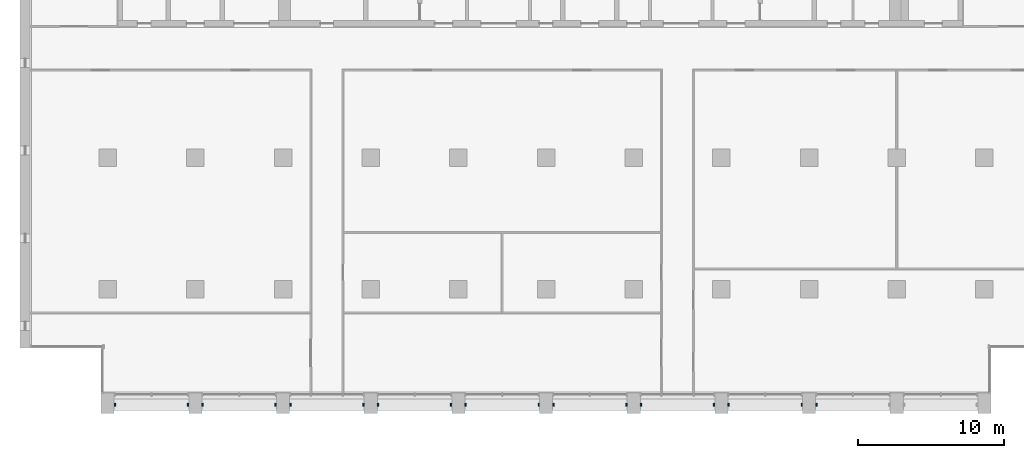
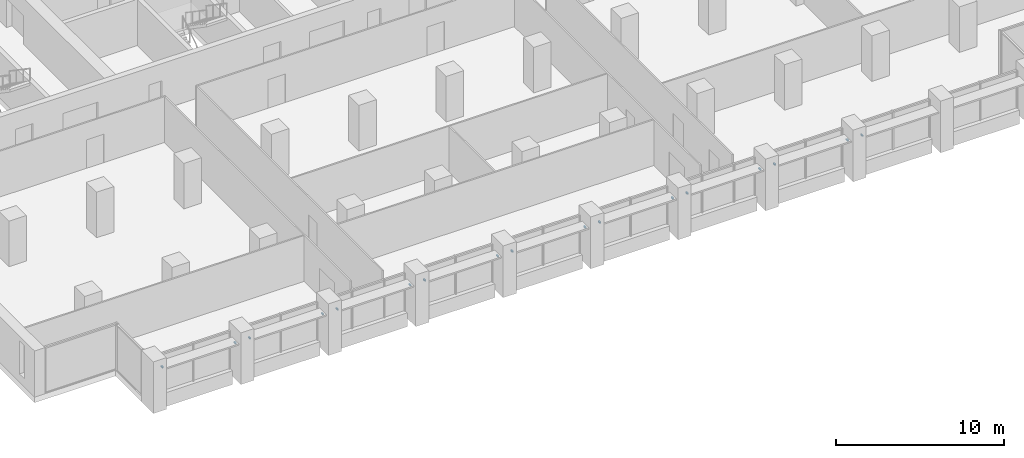
# One storey, part 13 of 15: 17 discrete accessories.
"""IFC4 building model written with IfcOpenShell, lengths in metres."""

from ifc_helpers import new_model, si_unit, direction, frame, origin, origin_2d, place, context, subcontext, project, spatial, rectangle, extrude, element, save


model = new_model("IFC4")

# Units and contexts
model_context = context("Model", 3, precision=1e-05, world=origin(), true_north=direction((0.0, 1.0)))
body_context = subcontext(model_context, "Body", "Model", "MODEL_VIEW")
ifc_project = project(units=[si_unit("LENGTHUNIT", "METRE"), si_unit("AREAUNIT", "SQUARE_METRE"), si_unit("VOLUMEUNIT", "CUBIC_METRE"), si_unit("PLANEANGLEUNIT", "RADIAN"), si_unit("MASSUNIT", "GRAM", prefix="KILO")], contexts=[model_context])

# Site, building, storey
site_placement = place(None, origin())
site = spatial("IfcSite", under=ifc_project, at=site_placement, CompositionType="ELEMENT")
building_placement = place(site_placement, origin())
building = spatial("IfcBuilding", under=site, at=building_placement, Name="Calvaro Tower", CompositionType="ELEMENT")
storey_placement = place(building_placement, frame((0.0, 0.0, 147.5)))
storey = spatial("IfcBuildingStorey", under=building, at=storey_placement, Name="L37", CompositionType="ELEMENT", Elevation=147.5)

# Discrete accessories
for number, where, z_axis, x_axis, name in (
    (1, (6.5, 2.10009765625, 2.25), (0.0, 0.0, 1.0), (1.0, 0.0, 0.0), "Brise-soleil bracket"),
    (2, (11.5, 2.10009765625, 2.25), (0.0, 0.0, 1.0), (1.0, 0.0, 0.0), "Brise-soleil bracket"),
    (3, (12.5, 2.10009765625, 2.25), (0.0, 0.0, 1.0), (1.0, 0.0, 0.0), "Brise-soleil bracket"),
    (4, (17.5, 2.10009765625, 2.25), (0.0, 0.0, 1.0), (1.0, 0.0, 0.0), "Brise-soleil bracket"),
    (5, (18.5, 2.10009765625, 2.25), (0.0, 0.0, 1.0), (1.0, 0.0, 0.0), "Brise-soleil bracket"),
    (6, (23.5, 2.10009765625, 2.25), (0.0, 0.0, 1.0), (1.0, 0.0, 0.0), "Brise-soleil bracket"),
    (7, (24.5, 2.10009765625, 2.25), (0.0, 0.0, 1.0), (1.0, 0.0, 0.0), "Brise-soleil bracket"),
    (8, (29.5, 2.10009765625, 2.25), (0.0, 0.0, 1.0), (1.0, 0.0, 0.0), "Brise-soleil bracket"),
    (9, (30.5, 2.10009765625, 2.25), (0.0, 0.0, 1.0), (1.0, 0.0, 0.0), "Brise-soleil bracket"),
    (10, (35.5, 2.10009765625, 2.25), (0.0, 0.0, 1.0), (1.0, 0.0, 0.0), "Brise-soleil bracket"),
    (11, (36.5, 2.10009765625, 2.25), (0.0, 0.0, 1.0), (1.0, 0.0, 0.0), "Brise-soleil bracket"),
    (12, (41.5, 2.10009765625, 2.25), (0.0, 0.0, 1.0), (1.0, 0.0, 0.0), "Brise-soleil bracket"),
    (13, (42.5, 2.10009765625, 2.25), (0.0, 0.0, 1.0), (1.0, 0.0, 0.0), "Brise-soleil bracket"),
    (14, (47.5, 2.10009765625, 2.25), (0.0, 0.0, 1.0), (1.0, 0.0, 0.0), "Brise-soleil bracket"),
    (15, (48.5, 2.10009765625, 2.25), (0.0, 0.0, 1.0), (1.0, 0.0, 0.0), "Brise-soleil bracket"),
    (16, (53.5, 2.10009765625, 2.25), (0.0, 0.0, 1.0), (1.0, 0.0, 0.0), "Brise-soleil bracket"),
    (17, (54.5, 2.10009765625, 2.25), (0.0, 0.0, 1.0), (1.0, 0.0, 0.0), "Brise-soleil bracket"),
):
    element("IfcDiscreteAccessory", number, at=place(storey_placement, frame(where, z_axis=z_axis, x_axis=x_axis)), inside=storey, Name=name, PredefinedType="BRACKET", context=body_context, shape_type="SweptSolid", body=[
        extrude(rectangle(XDim=0.10009765625, YDim=0.199951171875, at=origin_2d()), origin(), (0.0, 0.0, 1.0), 0.10009765625),
    ])

save(model, "model.ifc")
